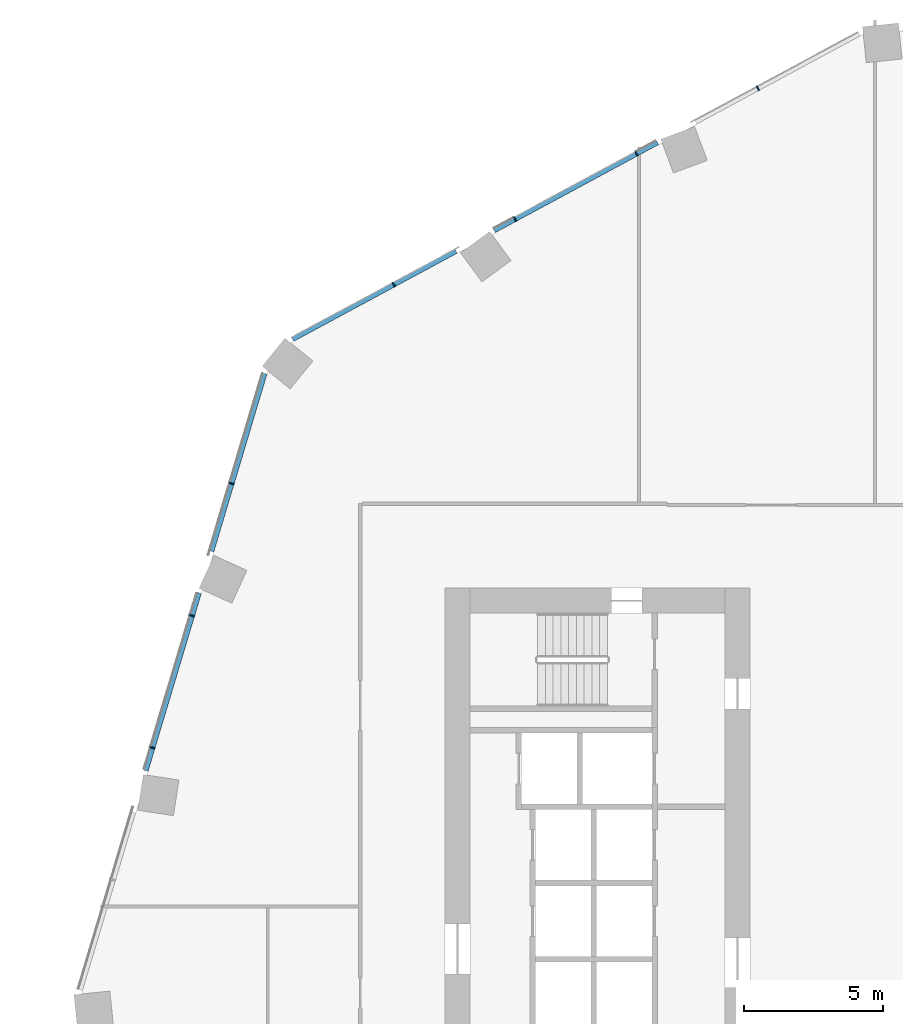
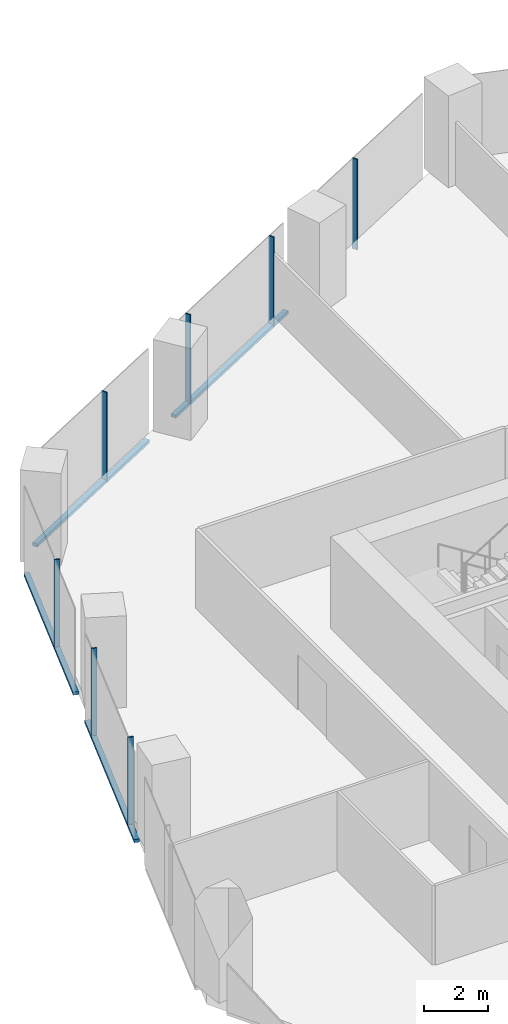
# One storey, part 11 of 34: 11 members, 2 elements without a shape of their own.
"""IFC4 building model written with IfcOpenShell, lengths in metres."""

from ifc_helpers import new_model, si_unit, direction, frame, origin, origin_2d, place, context, subcontext, project, spatial, rectangle, extrude, material, material_profile, profile_set, type_object, element, aggregate, save


model = new_model("IFC4")

# Units and contexts
model_context = context("Model", 3, precision=1e-05, world=origin(), true_north=direction((0.0, 1.0)))
body_context = subcontext(model_context, "Body", "Model", "MODEL_VIEW")
ifc_project = project(units=[si_unit("LENGTHUNIT", "METRE"), si_unit("AREAUNIT", "SQUARE_METRE"), si_unit("VOLUMEUNIT", "CUBIC_METRE"), si_unit("PLANEANGLEUNIT", "RADIAN"), si_unit("MASSUNIT", "GRAM", prefix="KILO")], contexts=[model_context])

# Site, building, storey
site_placement = place(None, origin())
site = spatial("IfcSite", under=ifc_project, at=site_placement, CompositionType="ELEMENT")
building_placement = place(site_placement, origin())
building = spatial("IfcBuilding", under=site, at=building_placement, Name="Orlundy Tower", CompositionType="ELEMENT")
storey_placement = place(building_placement, frame((0.0, 0.0, 134.199951171875)))
storey = spatial("IfcBuildingStorey", under=building, at=storey_placement, Name="L34", CompositionType="ELEMENT", Elevation=134.199951171875)

# Curtain wall, members
ifc_material_1 = material(Name="Aluminium bronze anodised", Category="aluminium")
curtain_wall_type = type_object("IfcCurtainWallType", Name="CW1 wall", PredefinedType="NOTDEFINED", material=ifc_material_1)
curtain_wall_1_placement = place(storey_placement, origin())
curtain_wall_1 = element("IfcCurtainWall", 1, at=curtain_wall_1_placement, inside=storey, type_object=curtain_wall_type, Name="CW1 run 02", PredefinedType="NOTDEFINED")
ifc_material_2 = material(Name="Aluminium bronze anodised", Category="aluminium")
ifc_material_profile_1 = material_profile(ifc_material_2, rectangle(XDim=0.179931640625, YDim=0.050048828125, at=origin_2d()), Name="CW1 mullion 50x180")
ifc_profile_set_1 = profile_set([ifc_material_profile_1], Name="Aluminium bronze anodised")
member_type_1 = type_object("IfcMemberType", Name="CW1 mullion 50x180", PredefinedType="MULLION", material=ifc_profile_set_1)
member_1_placement = place(storey_placement, frame((-29.5390625, 6.2490234375, -0.39990234375), z_axis=(0.0, 0.0, 1.0), x_axis=(-0.957985612971, 0.286816257107, 0.0)))
member_1 = element("IfcMember", 2, at=member_1_placement, type_object=member_type_1, Name="CW1 mullion 11", PredefinedType="MULLION", context=body_context, shape_type="SweptSolid", body=[
    extrude(rectangle(XDim=0.179931640625, YDim=0.050048828125, at=origin_2d()), origin(), (0.0, 0.0, 1.0), 3.449951171875),
])
member_2_placement = place(storey_placement, frame((-28.113525390625, 11.010498046875, -0.39990234375), z_axis=(0.0, 0.0, 1.0), x_axis=(-0.957985612971, 0.286816257107, 0.0)))
member_2 = element("IfcMember", 3, at=member_2_placement, type_object=member_type_1, Name="CW1 mullion 12", PredefinedType="MULLION", context=body_context, shape_type="SweptSolid", body=[
    extrude(rectangle(XDim=0.179931640625, YDim=0.050048828125, at=origin_2d()), origin(), (0.0, 0.0, 1.0), 3.449951171875),
])
member_3_placement = place(storey_placement, frame((-26.687744140625, 15.772216796875, -0.39990234375), z_axis=(0.0, 0.0, 1.0), x_axis=(-0.957985612971, 0.286816257107, 0.0)))
member_3 = element("IfcMember", 4, at=member_3_placement, type_object=member_type_1, Name="CW1 mullion 13", PredefinedType="MULLION", context=body_context, shape_type="SweptSolid", body=[
    extrude(rectangle(XDim=0.179931640625, YDim=0.050048828125, at=origin_2d()), origin(), (0.0, 0.0, 1.0), 3.449951171875),
])

curtain_wall_2_placement = place(storey_placement, origin())
curtain_wall_2 = element("IfcCurtainWall", 5, at=curtain_wall_2_placement, inside=storey, type_object=curtain_wall_type, Name="CW1 run 03", PredefinedType="NOTDEFINED")
member_4_placement = place(storey_placement, frame((-20.843505859375, 22.946533203125, -0.39990234375), z_axis=(0.0, 0.0, 1.0), x_axis=(-0.47461800373, 0.880191882793, 0.0)))
member_4 = element("IfcMember", 6, at=member_4_placement, type_object=member_type_1, Name="CW1 mullion 15", PredefinedType="MULLION", context=body_context, shape_type="SweptSolid", body=[
    extrude(rectangle(XDim=0.179931640625, YDim=0.050048828125, at=origin_2d()), origin(), (0.0, 0.0, 1.0), 3.449951171875),
])
member_5_placement = place(storey_placement, frame((-16.46826171875, 25.3056640625, -0.39990234375), z_axis=(0.0, 0.0, 1.0), x_axis=(-0.47461800373, 0.880191882793, 0.0)))
member_5 = element("IfcMember", 7, at=member_5_placement, type_object=member_type_1, Name="CW1 mullion 16", PredefinedType="MULLION", context=body_context, shape_type="SweptSolid", body=[
    extrude(rectangle(XDim=0.179931640625, YDim=0.050048828125, at=origin_2d()), origin(), (0.0, 0.0, 1.0), 3.449951171875),
])
member_6_placement = place(storey_placement, frame((-12.093017578125, 27.664794921875, -0.39990234375), z_axis=(0.0, 0.0, 1.0), x_axis=(-0.47461800373, 0.880191882793, 0.0)))
member_6 = element("IfcMember", 8, at=member_6_placement, type_object=member_type_1, Name="CW1 mullion 17", PredefinedType="MULLION", context=body_context, shape_type="SweptSolid", body=[
    extrude(rectangle(XDim=0.179931640625, YDim=0.050048828125, at=origin_2d()), origin(), (0.0, 0.0, 1.0), 3.449951171875),
])
member_7_placement = place(storey_placement, frame((-7.718017578125, 30.02392578125, -0.39990234375), z_axis=(0.0, 0.0, 1.0), x_axis=(-0.47461800373, 0.880191882793, 0.0)))
member_7 = element("IfcMember", 9, at=member_7_placement, type_object=member_type_1, Name="CW1 mullion 18", PredefinedType="MULLION", context=body_context, shape_type="SweptSolid", body=[
    extrude(rectangle(XDim=0.179931640625, YDim=0.050048828125, at=origin_2d()), origin(), (0.0, 0.0, 1.0), 3.449951171875),
])

# Member
ifc_material_3 = material(Name="Aluminium bronze anodised", Category="aluminium")
ifc_material_profile_2 = material_profile(ifc_material_3, rectangle(XDim=0.179931640625, YDim=0.1201171875, at=origin_2d()), Name="CW1 transom 180x120")
ifc_profile_set_2 = profile_set([ifc_material_profile_2], Name="Aluminium bronze anodised")
member_type_2 = type_object("IfcMemberType", Name="CW1 transom 180x120", PredefinedType="USERDEFINED", material=ifc_profile_set_2)
member_8_placement = place(storey_placement, frame((-29.7861328125, 5.42333984375, -0.33984375), z_axis=(0.28679911732, 0.957990744373, 0.0), x_axis=(-0.957990744373, 0.28679911732, 0.0)))
member_8 = element("IfcMember", 10, at=member_8_placement, type_object=member_type_2, Name="CW1 transom", ObjectType="TRANSOM", PredefinedType="USERDEFINED", context=body_context, shape_type="SweptSolid", body=[
    extrude(rectangle(XDim=0.179931640625, YDim=0.1201171875, at=origin_2d()), origin(), (0.0, 0.0, 1.0), 6.6943359375),
])

member_9_placement = place(storey_placement, frame((-27.417236328125, 13.3359375, -0.33984375), z_axis=(0.28681514222, 0.957985946762, 0.0), x_axis=(-0.957985946762, 0.28681514222, 0.0)))
member_9 = element("IfcMember", 11, at=member_9_placement, type_object=member_type_2, Name="CW1 transom", ObjectType="TRANSOM", PredefinedType="USERDEFINED", context=body_context, shape_type="SweptSolid", body=[
    extrude(rectangle(XDim=0.179931640625, YDim=0.1201171875, at=origin_2d()), origin(), (0.0, 0.0, 1.0), 6.685302734375),
])

aggregate(curtain_wall_1, [member_1, member_2, member_3, member_8, member_9])

member_10_placement = place(storey_placement, frame((-24.489013671875, 20.980712890625, -0.33984375), z_axis=(0.880189674732, 0.474622098616, 0.0), x_axis=(-0.474622098616, 0.880189674732, 0.0)))
member_10 = element("IfcMember", 12, at=member_10_placement, type_object=member_type_2, Name="CW1 transom", ObjectType="TRANSOM", PredefinedType="USERDEFINED", context=body_context, shape_type="SweptSolid", body=[
    extrude(rectangle(XDim=0.179931640625, YDim=0.1201171875, at=origin_2d()), origin(), (0.0, 0.0, 1.0), 6.689208984375),
])

member_11_placement = place(storey_placement, frame((-17.226806640625, 24.896728515625, -0.33984375), z_axis=(0.880200432589, 0.474602147563, 0.0), x_axis=(-0.474602147563, 0.880200432589, 0.0)))
member_11 = element("IfcMember", 13, at=member_11_placement, type_object=member_type_2, Name="CW1 transom", ObjectType="TRANSOM", PredefinedType="USERDEFINED", context=body_context, shape_type="SweptSolid", body=[
    extrude(rectangle(XDim=0.179931640625, YDim=0.1201171875, at=origin_2d()), origin(), (0.0, 0.0, 1.0), 6.694091796875),
])

aggregate(curtain_wall_2, [member_4, member_5, member_6, member_7, member_10, member_11])

save(model, "model.ifc")
